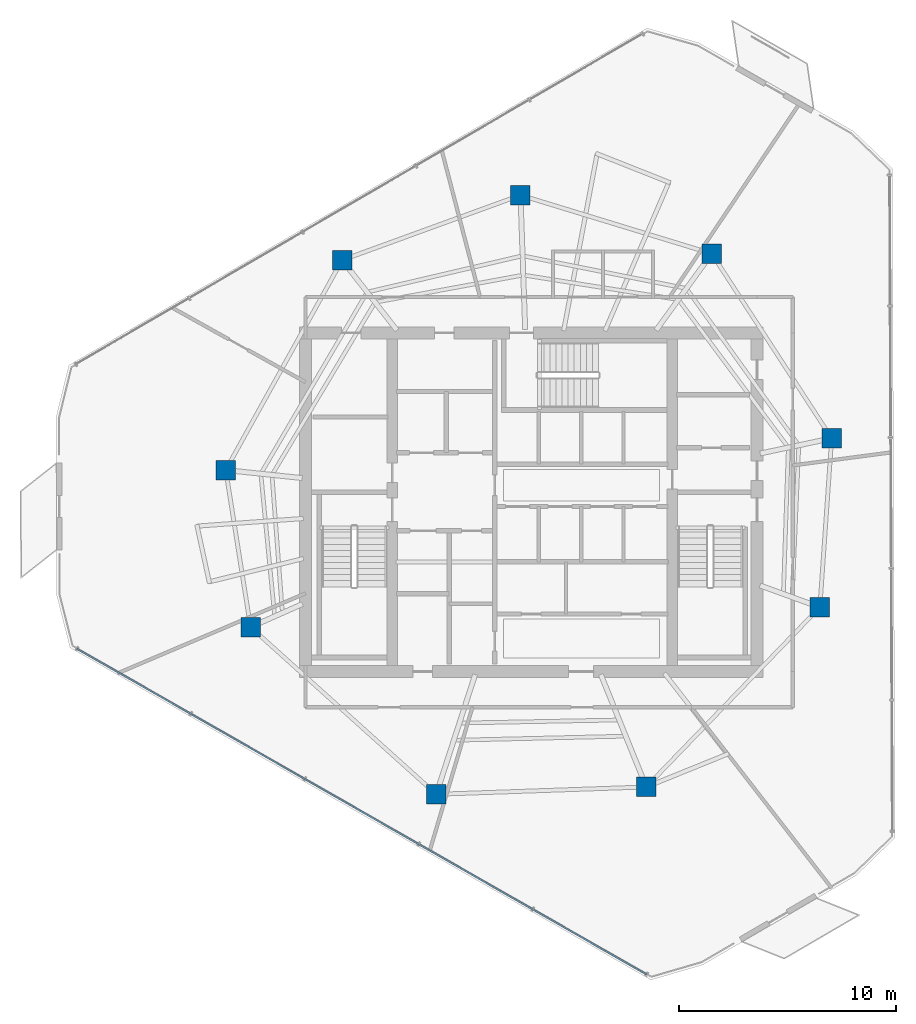
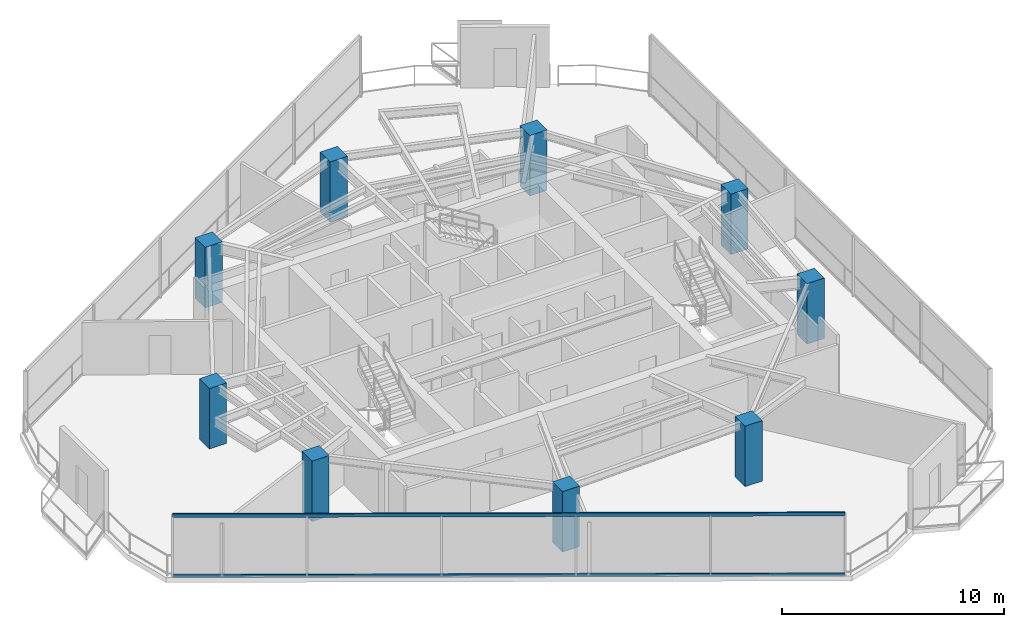
# One storey, part 1 of 19: 9 columns, 2 members, 1 element without a shape of its own.
"""IFC4 building model written with IfcOpenShell, lengths in metres."""

from ifc_helpers import new_model, si_unit, direction, frame, origin, origin_2d, place, context, subcontext, project, spatial, rectangle, hollow_rectangle, extrude, material, layer, layer_set, material_profile, profile_set, type_object, element, aggregate, save


model = new_model("IFC4")

# Units and contexts
model_context = context("Model", 3, precision=1e-05, world=origin(), true_north=direction((0.0, 1.0)))
body_context = subcontext(model_context, "Body", "Model", "MODEL_VIEW")
ifc_project = project(units=[si_unit("LENGTHUNIT", "METRE"), si_unit("AREAUNIT", "SQUARE_METRE"), si_unit("VOLUMEUNIT", "CUBIC_METRE"), si_unit("PLANEANGLEUNIT", "RADIAN"), si_unit("MASSUNIT", "GRAM", prefix="KILO")], contexts=[model_context])

# Site, building, storey
site_placement = place(None, origin())
site = spatial("IfcSite", under=ifc_project, at=site_placement, CompositionType="ELEMENT")
building_placement = place(site_placement, origin())
building = spatial("IfcBuilding", under=site, at=building_placement, Name="Qarnah Convention Tower", CompositionType="ELEMENT")
storey_placement = place(building_placement, frame((0.0, 0.0, 180.60009765625)))
storey = spatial("IfcBuildingStorey", under=building, at=storey_placement, Name="L48", CompositionType="ELEMENT", Elevation=180.60009765625)

# Columns
ifc_material_1 = material(Name="Concrete C50/60", Category="concrete")
ifc_material_profile_1 = material_profile(ifc_material_1, rectangle(XDim=0.89990234375, YDim=0.89990234375, at=origin_2d()), Name="RC-COL-900X900")
ifc_profile_set_1 = profile_set([ifc_material_profile_1], Name="Concrete C50/60")
column_type = type_object("IfcColumnType", Name="COL-Z4-900", PredefinedType="COLUMN", material=ifc_profile_set_1)
for number, where, z_axis, x_axis, name in (
    (1, (51.041015625, 29.342041015625, 0.0), (0.0, 0.0, 1.0), (1.0, 0.0, 0.0), "L48 plumb column PC-Z4-01"),
    (2, (45.51708984375, 37.847900390625, 0.0), (0.0, 0.0, 1.0), (1.0, 0.0, 0.0), "L48 plumb column PC-Z4-02"),
    (3, (36.7060546875, 40.541015625, 0.0), (0.0, 0.0, 1.0), (1.0, 0.0, 0.0), "L48 plumb column PC-Z4-03"),
    (4, (28.488037109375, 37.550048828125, 0.0), (0.0, 0.0, 1.0), (1.0, 0.0, 0.0), "L48 plumb column PC-Z4-04"),
    (5, (23.1279296875, 27.87890625, 0.0), (0.0, 0.0, 1.0), (1.0, 0.0, 0.0), "L48 plumb column PC-Z4-05"),
    (6, (24.27294921875, 20.64501953125, 0.0), (0.0, 0.0, 1.0), (1.0, 0.0, 0.0), "L48 plumb column PC-Z4-06"),
    (7, (32.826904296875, 12.943115234375, 0.0), (0.0, 0.0, 1.0), (1.0, 0.0, 0.0), "L48 plumb column PC-Z4-07"),
    (8, (42.5009765625, 13.280029296875, 0.0), (0.0, 0.0, 1.0), (1.0, 0.0, 0.0), "L48 plumb column PC-Z4-08"),
    (9, (50.4970703125, 21.56005859375, 0.0), (0.0, 0.0, 1.0), (1.0, 0.0, 0.0), "L48 plumb column PC-Z4-09"),
):
    element("IfcColumn", number, at=place(storey_placement, frame(where, z_axis=z_axis, x_axis=x_axis)), inside=storey, type_object=column_type, Name=name, PredefinedType="COLUMN", context=body_context, shape_type="SweptSolid", body=[
        extrude(rectangle(XDim=0.89990234375, YDim=0.89990234375, at=origin_2d()), origin(), (0.0, 0.0, 1.0), 3.31982421875),
    ])

# Curtain wall, members
ifc_material_2 = material(Name="Tempered Low-E dark glass", Category="glass")
ifc_layer = layer(ifc_material_2, 0.174072265625)
ifc_layer_set = layer_set([ifc_layer], Name="Tempered Low-E dark glass")
curtain_wall_type = type_object("IfcCurtainWallType", Name="CWS-04", PredefinedType="NOTDEFINED", material=ifc_layer_set)
curtain_wall_placement = place(storey_placement, origin())
curtain_wall = element("IfcCurtainWall", 10, at=curtain_wall_placement, inside=storey, type_object=curtain_wall_type, Name="L48 unitised curtain wall CW-L48-F1", PredefinedType="NOTDEFINED")
ifc_material_3 = material(Name="Black anodised aluminium", Category="aluminium")
ifc_material_profile_2 = material_profile(ifc_material_3, hollow_rectangle(XDim=0.074951171875, YDim=0.18994140625, WallThickness=0.0048828125, at=origin_2d()), Name="TRN-75X190")
ifc_profile_set_2 = profile_set([ifc_material_profile_2], Name="Black anodised aluminium")
member_type = type_object("IfcMemberType", Name="TRN-T4", PredefinedType="USERDEFINED", material=ifc_profile_set_2)
member_1_placement = place(storey_placement, frame((42.51904296875, 4.64111328125, 0.0), z_axis=(-0.868121867697, 0.496351108416, 0.0), x_axis=(-0.496351108416, -0.868121867697, 0.0)))
member_1 = element("IfcMember", 11, at=member_1_placement, type_object=member_type, Name="CW-L48-F1 transom 1", ObjectType="TRANSOM", PredefinedType="USERDEFINED", context=body_context, shape_type="SweptSolid", body=[
    extrude(hollow_rectangle(XDim=0.074951171875, YDim=0.18994140625, WallThickness=0.0048828125, at=origin_2d()), origin(), (0.0, 0.0, 1.0), 30.234375),
])
member_2_placement = place(storey_placement, frame((42.51904296875, 4.64111328125, 3.31982421875), z_axis=(-0.868121867697, 0.496351108416, 0.0), x_axis=(-0.496351108416, -0.868121867697, 0.0)))
member_2 = element("IfcMember", 12, at=member_2_placement, type_object=member_type, Name="CW-L48-F1 transom 2", ObjectType="TRANSOM", PredefinedType="USERDEFINED", context=body_context, shape_type="SweptSolid", body=[
    extrude(hollow_rectangle(XDim=0.074951171875, YDim=0.18994140625, WallThickness=0.0048828125, at=origin_2d()), origin(), (0.0, 0.0, 1.0), 30.234375),
])
aggregate(curtain_wall, [member_1, member_2])

save(model, "model.ifc")
